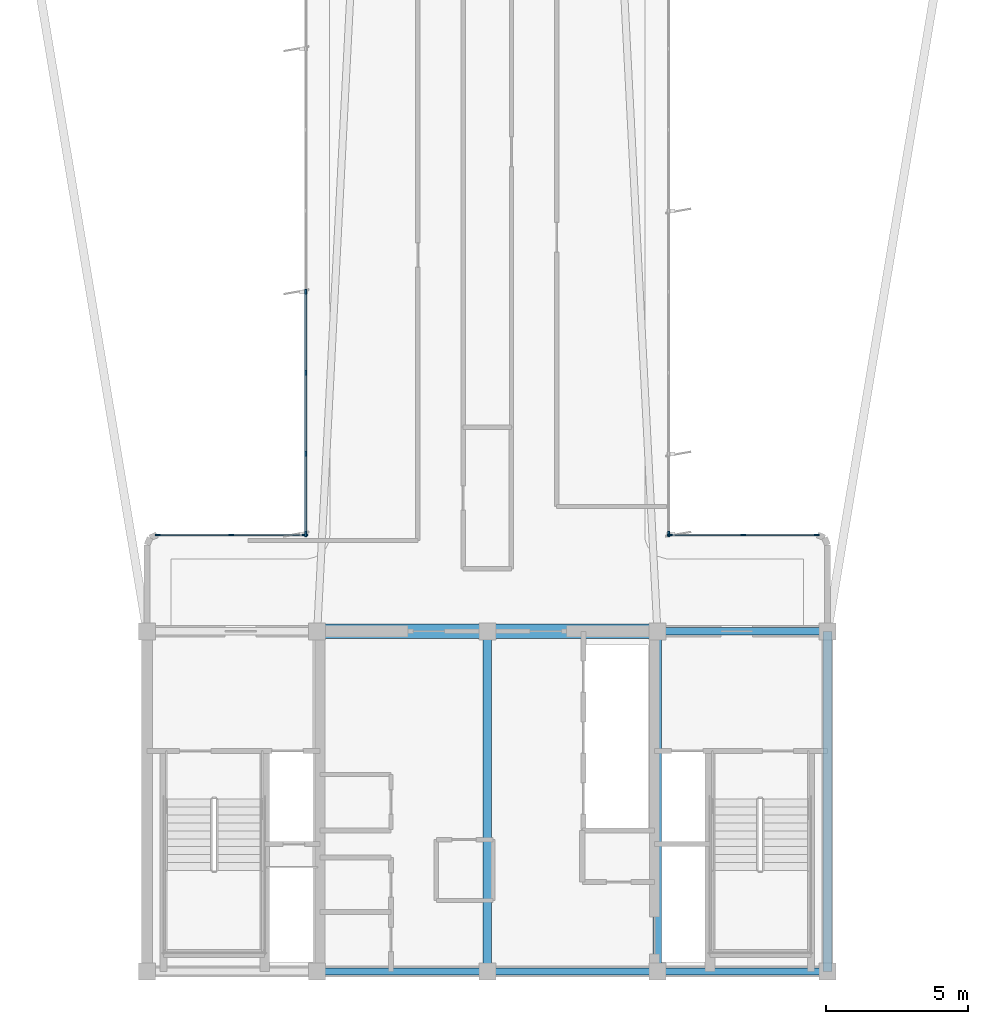
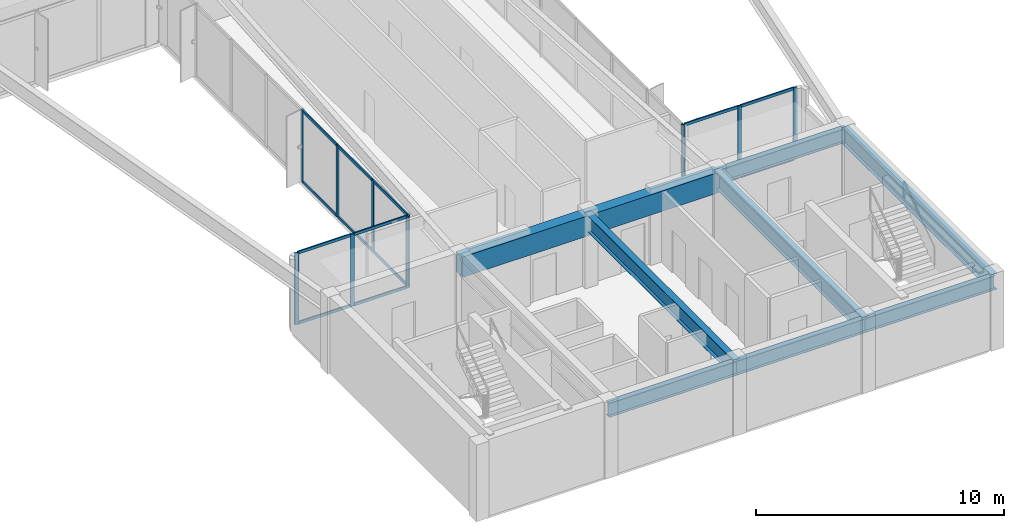
# One storey, part 2 of 15: 25 members, 8 beams, 4 elements without a shape of their own.
"""IFC4 building model written with IfcOpenShell, lengths in metres."""

from ifc_helpers import new_model, si_unit, direction, frame, origin, origin_2d, place, context, subcontext, project, spatial, rectangle, i_section, extrude, source, transform, mapped, material, layer, layer_set, material_profile, profile_set, type_object, element, aggregate, save


model = new_model("IFC4")

# Units and contexts
model_context = context("Model", 3, precision=1e-05, world=origin(), true_north=direction((0.0, 1.0)))
body_context = subcontext(model_context, "Body", "Model", "MODEL_VIEW")
ifc_project = project(units=[si_unit("LENGTHUNIT", "METRE"), si_unit("AREAUNIT", "SQUARE_METRE"), si_unit("VOLUMEUNIT", "CUBIC_METRE"), si_unit("PLANEANGLEUNIT", "RADIAN"), si_unit("MASSUNIT", "GRAM", prefix="KILO")], contexts=[model_context])

# Site, building, storey
site_placement = place(None, origin())
site = spatial("IfcSite", under=ifc_project, at=site_placement, CompositionType="ELEMENT")
building_placement = place(site_placement, origin())
building = spatial("IfcBuilding", under=site, at=building_placement, Name="Brelvock Crest Care Tower", CompositionType="ELEMENT")
storey_placement = place(building_placement, frame((0.0, 0.0, 245.699951171875)))
storey = spatial("IfcBuildingStorey", under=building, at=storey_placement, Name="L62", CompositionType="ELEMENT", Elevation=245.699951171875)

# Beams
ifc_material_1 = material(Name="Steel Grade 350", Category="steel")
ifc_material_profile_1 = material_profile(ifc_material_1, i_section(OverallWidth=0.25, OverallDepth=0.699951171875, WebThickness=0.011962890625, FlangeThickness=0.02001953125, at=origin_2d()), Name="700WB150")
ifc_profile_set_1 = profile_set([ifc_material_profile_1], Name="Steel Grade 350")
beam_type_1 = type_object("IfcBeamType", Name="BM-G4", PredefinedType="BEAM", material=ifc_profile_set_1)
shared_shape_1 = source(origin(), body_context, "Body", "SweptSolid", [
    extrude(i_section(OverallWidth=0.25, OverallDepth=0.699951171875, WebThickness=0.011962890625, FlangeThickness=0.02001953125, at=origin_2d()), origin(), (0.0, 0.0, 1.0), 6.0),
])
for number, where, z_axis, x_axis, name in (
    (1, (30.0, 6.0, 3.179931640625), (1.0, 0.0, 0.0), (0.0, 1.0, 0.0), "BM-CORES-L62-2"),
    (2, (36.0, 6.0, 3.179931640625), (1.0, 0.0, 0.0), (0.0, 1.0, 0.0), "BM-CORES-L62-3"),
    (3, (42.0, 6.0, 3.179931640625), (1.0, 0.0, 0.0), (0.0, 1.0, 0.0), "BM-CORES-L62-4"),
    (4, (42.0, 18.0, 3.179931640625), (1.0, 0.0, 0.0), (0.0, 1.0, 0.0), "BM-COREN-L62-4"),
):
    element("IfcBeam", number, at=place(storey_placement, frame(where, z_axis=z_axis, x_axis=x_axis)), inside=storey, type_object=beam_type_1, Name=name, PredefinedType="BEAM", context=body_context, shape_type="MappedRepresentation", body=[
        mapped(shared_shape_1, transform((0.0, 0.0, 0.0), x_axis=(1.0, 0.0, 0.0), y_axis=(0.0, 1.0, 0.0), z_axis=(0.0, 0.0, 1.0), scale=1.0)),
    ])
ifc_material_profile_2 = material_profile(ifc_material_1, i_section(OverallWidth=0.300048828125, OverallDepth=0.800048828125, WebThickness=0.013916015625, FlangeThickness=0.02197265625, at=origin_2d()), Name="800WB192")
ifc_profile_set_2 = profile_set([ifc_material_profile_2], Name="Steel Grade 350")
beam_type_2 = type_object("IfcBeamType", Name="BM-G5", PredefinedType="BEAM", material=ifc_profile_set_2)
shared_shape_2 = source(origin(), body_context, "Body", "SweptSolid", [
    extrude(i_section(OverallWidth=0.300048828125, OverallDepth=0.800048828125, WebThickness=0.013916015625, FlangeThickness=0.02197265625, at=origin_2d()), origin(), (0.0, 0.0, 1.0), 12.0),
])
for number, where, z_axis, x_axis, name in (
    (5, (36.0, 6.0, 3.130126953125), (0.0, 1.0, 0.0), (-1.0, 0.0, 0.0), "BM-COREX-L62-3"),
    (6, (42.0, 6.0, 3.130126953125), (0.0, 1.0, 0.0), (-1.0, 0.0, 0.0), "BM-COREX-L62-4"),
    (7, (48.0, 6.0, 3.130126953125), (0.0, 1.0, 0.0), (-1.0, 0.0, 0.0), "BM-COREX-L62-5"),
):
    element("IfcBeam", number, at=place(storey_placement, frame(where, z_axis=z_axis, x_axis=x_axis)), inside=storey, type_object=beam_type_2, Name=name, PredefinedType="BEAM", context=body_context, shape_type="MappedRepresentation", body=[
        mapped(shared_shape_2, transform((0.0, 0.0, 0.0), x_axis=(1.0, 0.0, 0.0), y_axis=(0.0, 1.0, 0.0), z_axis=(0.0, 0.0, 1.0), scale=1.0)),
    ])
ifc_material_2 = material(Name="Concrete S65 (65 MPa)", Category="concrete")
ifc_material_profile_3 = material_profile(ifc_material_2, rectangle(XDim=0.5, YDim=1.0, at=origin_2d()), Name="RC500x1000")
ifc_profile_set_3 = profile_set([ifc_material_profile_3], Name="Concrete S65 (65 MPa)")
beam_type_3 = type_object("IfcBeamType", Name="BM-LN2", PredefinedType="LINTEL", material=ifc_profile_set_3)
shared_shape_3 = source(origin(), body_context, "Body", "SweptSolid", [
    extrude(rectangle(XDim=0.5, YDim=1.0, at=origin_2d()), origin(), (0.0, 0.0, 1.0), 12.0),
])
beam_placement = place(storey_placement, frame((30.0, 18.0, 3.030029296875), z_axis=(1.0, 0.0, 0.0), x_axis=(0.0, 1.0, 0.0)))
element("IfcBeam", 8, at=beam_placement, inside=storey, type_object=beam_type_3, Name="L62 Core Coupling Lintel Beam", PredefinedType="LINTEL", context=body_context, shape_type="MappedRepresentation", body=[
    mapped(shared_shape_3, transform((0.0, 0.0, 0.0), x_axis=(1.0, 0.0, 0.0), y_axis=(0.0, 1.0, 0.0), z_axis=(0.0, 0.0, 1.0), scale=1.0)),
])

# Curtain wall, members
ifc_material_3 = material(Name="Dark Glass Double Glazed Low-E", Category="glass")
ifc_layer = layer(ifc_material_3, 0.239990234375, Name="CWS-5")
ifc_layer_set = layer_set([ifc_layer], Name="Dark Glass Double Glazed Low-E")
curtain_wall_type = type_object("IfcCurtainWallType", Name="CWS-5", PredefinedType="NOTDEFINED", material=ifc_layer_set)
curtain_wall_1_placement = place(storey_placement, origin())
curtain_wall_1 = element("IfcCurtainWall", 9, at=curtain_wall_1_placement, inside=storey, type_object=curtain_wall_type, Name="L62 Curtain Wall E10", PredefinedType="NOTDEFINED")
ifc_material_4 = material(Name="Aluminium 6063-T6", Category="aluminium")
ifc_material_profile_4 = material_profile(ifc_material_4, rectangle(XDim=0.06005859375, YDim=0.179931640625, at=origin_2d()), Name="ALU60x180")
ifc_profile_set_4 = profile_set([ifc_material_profile_4], Name="Aluminium 6063-T6")
member_type_1 = type_object("IfcMemberType", Name="CWM-2", PredefinedType="MULLION", material=ifc_profile_set_4)
shared_shape_4 = source(origin(), body_context, "Body", "SweptSolid", [
    extrude(rectangle(XDim=0.06005859375, YDim=0.179931640625, at=origin_2d()), origin(), (0.0, 0.0, 1.0), 3.530029296875),
])
member_1_placement = place(storey_placement, frame((24.3798828125, 21.39990234375, 0.0), z_axis=(0.0, 0.0, 1.0), x_axis=(0.0, 1.0, 0.0)))
member_1 = element("IfcMember", 10, at=member_1_placement, type_object=member_type_1, Name="CW-5 mullion 1", PredefinedType="MULLION", context=body_context, shape_type="MappedRepresentation", body=[
    mapped(shared_shape_4, transform((0.0, 0.0, 0.0), x_axis=(1.0, 0.0, 0.0), y_axis=(0.0, 1.0, 0.0), z_axis=(0.0, 0.0, 1.0), scale=1.0)),
])
member_2_placement = place(storey_placement, frame((26.97509765625, 21.39990234375, 0.0), z_axis=(0.0, 0.0, 1.0), x_axis=(0.0, 1.0, 0.0)))
member_2 = element("IfcMember", 11, at=member_2_placement, type_object=member_type_1, Name="CW-5 mullion 2", PredefinedType="MULLION", context=body_context, shape_type="MappedRepresentation", body=[
    mapped(shared_shape_4, transform((0.0, 0.0, 0.0), x_axis=(1.0, 0.0, 0.0), y_axis=(0.0, 1.0, 0.0), z_axis=(0.0, 0.0, 1.0), scale=1.0)),
])
member_3_placement = place(storey_placement, frame((29.570068359375, 21.39990234375, 0.0), z_axis=(0.0, 0.0, 1.0), x_axis=(0.0, 1.0, 0.0)))
member_3 = element("IfcMember", 12, at=member_3_placement, type_object=member_type_1, Name="CW-5 mullion 3", PredefinedType="MULLION", context=body_context, shape_type="MappedRepresentation", body=[
    mapped(shared_shape_4, transform((0.0, 0.0, 0.0), x_axis=(1.0, 0.0, 0.0), y_axis=(0.0, 1.0, 0.0), z_axis=(0.0, 0.0, 1.0), scale=1.0)),
])

curtain_wall_2_placement = place(storey_placement, origin())
curtain_wall_2 = element("IfcCurtainWall", 13, at=curtain_wall_2_placement, inside=storey, type_object=curtain_wall_type, Name="L62 Curtain Wall E11", PredefinedType="NOTDEFINED")
member_4_placement = place(storey_placement, frame((29.60009765625, 21.429931640625, 0.0), z_axis=(0.0, 0.0, 1.0), x_axis=(-1.0, 0.0, 0.0)))
member_4 = element("IfcMember", 14, at=member_4_placement, type_object=member_type_1, Name="CW-5 mullion 1", PredefinedType="MULLION", context=body_context, shape_type="MappedRepresentation", body=[
    mapped(shared_shape_4, transform((0.0, 0.0, 0.0), x_axis=(1.0, 0.0, 0.0), y_axis=(0.0, 1.0, 0.0), z_axis=(0.0, 0.0, 1.0), scale=1.0)),
])
member_5_placement = place(storey_placement, frame((29.60009765625, 24.257080078125, 0.0), z_axis=(0.0, 0.0, 1.0), x_axis=(-1.0, 0.0, 0.0)))
member_5 = element("IfcMember", 15, at=member_5_placement, type_object=member_type_1, Name="CW-5 mullion 2", PredefinedType="MULLION", context=body_context, shape_type="MappedRepresentation", body=[
    mapped(shared_shape_4, transform((0.0, 0.0, 0.0), x_axis=(1.0, 0.0, 0.0), y_axis=(0.0, 1.0, 0.0), z_axis=(0.0, 0.0, 1.0), scale=1.0)),
])
member_6_placement = place(storey_placement, frame((29.60009765625, 27.1142578125, 0.0), z_axis=(0.0, 0.0, 1.0), x_axis=(-1.0, 0.0, 0.0)))
member_6 = element("IfcMember", 16, at=member_6_placement, type_object=member_type_1, Name="CW-5 mullion 3", PredefinedType="MULLION", context=body_context, shape_type="MappedRepresentation", body=[
    mapped(shared_shape_4, transform((0.0, 0.0, 0.0), x_axis=(1.0, 0.0, 0.0), y_axis=(0.0, 1.0, 0.0), z_axis=(0.0, 0.0, 1.0), scale=1.0)),
])
member_7_placement = place(storey_placement, frame((29.60009765625, 29.971435546875, 0.0), z_axis=(0.0, 0.0, 1.0), x_axis=(-1.0, 0.0, 0.0)))
member_7 = element("IfcMember", 17, at=member_7_placement, type_object=member_type_1, Name="CW-5 mullion 4", PredefinedType="MULLION", context=body_context, shape_type="MappedRepresentation", body=[
    mapped(shared_shape_4, transform((0.0, 0.0, 0.0), x_axis=(1.0, 0.0, 0.0), y_axis=(0.0, 1.0, 0.0), z_axis=(0.0, 0.0, 1.0), scale=1.0)),
])

# Curtain wall, member
curtain_wall_3_placement = place(storey_placement, origin())
curtain_wall_3 = element("IfcCurtainWall", 18, at=curtain_wall_3_placement, inside=storey, type_object=curtain_wall_type, Name="L62 Curtain Wall E45", PredefinedType="NOTDEFINED")
member_8_placement = place(storey_placement, frame((42.39990234375, 21.429931640625, 0.0), z_axis=(0.0, 0.0, 1.0), x_axis=(1.0, 0.0, 0.0)))
member_8 = element("IfcMember", 19, at=member_8_placement, type_object=member_type_1, Name="CW-5 mullion 8", PredefinedType="MULLION", context=body_context, shape_type="MappedRepresentation", body=[
    mapped(shared_shape_4, transform((0.0, 0.0, 0.0), x_axis=(1.0, 0.0, 0.0), y_axis=(0.0, 1.0, 0.0), z_axis=(0.0, 0.0, 1.0), scale=1.0)),
])
aggregate(curtain_wall_3, [member_8])

# Curtain wall, members
curtain_wall_4_placement = place(storey_placement, origin())
curtain_wall_4 = element("IfcCurtainWall", 20, at=curtain_wall_4_placement, inside=storey, type_object=curtain_wall_type, Name="L62 Curtain Wall E46", PredefinedType="NOTDEFINED")
member_9_placement = place(storey_placement, frame((42.429931640625, 21.39990234375, 0.0), z_axis=(0.0, 0.0, 1.0), x_axis=(0.0, 1.0, 0.0)))
member_9 = element("IfcMember", 21, at=member_9_placement, type_object=member_type_1, Name="CW-5 mullion 1", PredefinedType="MULLION", context=body_context, shape_type="MappedRepresentation", body=[
    mapped(shared_shape_4, transform((0.0, 0.0, 0.0), x_axis=(1.0, 0.0, 0.0), y_axis=(0.0, 1.0, 0.0), z_axis=(0.0, 0.0, 1.0), scale=1.0)),
])
member_10_placement = place(storey_placement, frame((45.02490234375, 21.39990234375, 0.0), z_axis=(0.0, 0.0, 1.0), x_axis=(0.0, 1.0, 0.0)))
member_10 = element("IfcMember", 22, at=member_10_placement, type_object=member_type_1, Name="CW-5 mullion 2", PredefinedType="MULLION", context=body_context, shape_type="MappedRepresentation", body=[
    mapped(shared_shape_4, transform((0.0, 0.0, 0.0), x_axis=(1.0, 0.0, 0.0), y_axis=(0.0, 1.0, 0.0), z_axis=(0.0, 0.0, 1.0), scale=1.0)),
])
member_11_placement = place(storey_placement, frame((47.6201171875, 21.39990234375, 0.0), z_axis=(0.0, 0.0, 1.0), x_axis=(0.0, 1.0, 0.0)))
member_11 = element("IfcMember", 23, at=member_11_placement, type_object=member_type_1, Name="CW-5 mullion 3", PredefinedType="MULLION", context=body_context, shape_type="MappedRepresentation", body=[
    mapped(shared_shape_4, transform((0.0, 0.0, 0.0), x_axis=(1.0, 0.0, 0.0), y_axis=(0.0, 1.0, 0.0), z_axis=(0.0, 0.0, 1.0), scale=1.0)),
])

# Member
ifc_material_profile_5 = material_profile(ifc_material_4, rectangle(XDim=0.06005859375, YDim=0.139892578125, at=origin_2d()), Name="ALU60x140")
ifc_profile_set_5 = profile_set([ifc_material_profile_5], Name="Aluminium 6063-T6")
member_type_2 = type_object("IfcMemberType", Name="CWT-2", PredefinedType="USERDEFINED", material=ifc_profile_set_5)
shared_shape_5 = source(origin(), body_context, "Body", "SweptSolid", [
    extrude(rectangle(XDim=0.06005859375, YDim=0.139892578125, at=origin_2d()), origin(), (0.0, 0.0, 1.0), 2.53515625),
])
member_12_placement = place(storey_placement, frame((24.409912109375, 21.39990234375, 0.030029296875), z_axis=(1.0, 0.0, 0.0), x_axis=(0.0, 1.0, 0.0)))
member_12 = element("IfcMember", 24, at=member_12_placement, type_object=member_type_2, Name="CW-5 transom 1.1", ObjectType="TRANSOM", PredefinedType="USERDEFINED", context=body_context, shape_type="MappedRepresentation", body=[
    mapped(shared_shape_5, transform((0.0, 0.0, 0.0), x_axis=(1.0, 0.0, 0.0), y_axis=(0.0, 1.0, 0.0), z_axis=(0.0, 0.0, 1.0), scale=1.0)),
])

member_13_placement = place(storey_placement, frame((24.409912109375, 21.39990234375, 3.5), z_axis=(1.0, 0.0, 0.0), x_axis=(0.0, 1.0, 0.0)))
member_13 = element("IfcMember", 25, at=member_13_placement, type_object=member_type_2, Name="CW-5 transom 1.2", ObjectType="TRANSOM", PredefinedType="USERDEFINED", context=body_context, shape_type="MappedRepresentation", body=[
    mapped(shared_shape_5, transform((0.0, 0.0, 0.0), x_axis=(1.0, 0.0, 0.0), y_axis=(0.0, 1.0, 0.0), z_axis=(0.0, 0.0, 1.0), scale=1.0)),
])

member_14_placement = place(storey_placement, frame((27.0048828125, 21.39990234375, 0.030029296875), z_axis=(1.0, 0.0, 0.0), x_axis=(0.0, 1.0, 0.0)))
member_14 = element("IfcMember", 26, at=member_14_placement, type_object=member_type_2, Name="CW-5 transom 2.1", ObjectType="TRANSOM", PredefinedType="USERDEFINED", context=body_context, shape_type="MappedRepresentation", body=[
    mapped(shared_shape_5, transform((0.0, 0.0, 0.0), x_axis=(1.0, 0.0, 0.0), y_axis=(0.0, 1.0, 0.0), z_axis=(0.0, 0.0, 1.0), scale=1.0)),
])

member_15_placement = place(storey_placement, frame((27.0048828125, 21.39990234375, 3.5), z_axis=(1.0, 0.0, 0.0), x_axis=(0.0, 1.0, 0.0)))
member_15 = element("IfcMember", 27, at=member_15_placement, type_object=member_type_2, Name="CW-5 transom 2.2", ObjectType="TRANSOM", PredefinedType="USERDEFINED", context=body_context, shape_type="MappedRepresentation", body=[
    mapped(shared_shape_5, transform((0.0, 0.0, 0.0), x_axis=(1.0, 0.0, 0.0), y_axis=(0.0, 1.0, 0.0), z_axis=(0.0, 0.0, 1.0), scale=1.0)),
])

aggregate(curtain_wall_1, [member_1, member_2, member_3, member_12, member_13, member_14, member_15])

member_16_placement = place(storey_placement, frame((42.4599609375, 21.39990234375, 0.030029296875), z_axis=(1.0, 0.0, 0.0), x_axis=(0.0, 1.0, 0.0)))
member_16 = element("IfcMember", 28, at=member_16_placement, type_object=member_type_2, Name="CW-5 transom 1.1", ObjectType="TRANSOM", PredefinedType="USERDEFINED", context=body_context, shape_type="MappedRepresentation", body=[
    mapped(shared_shape_5, transform((0.0, 0.0, 0.0), x_axis=(1.0, 0.0, 0.0), y_axis=(0.0, 1.0, 0.0), z_axis=(0.0, 0.0, 1.0), scale=1.0)),
])

member_17_placement = place(storey_placement, frame((42.4599609375, 21.39990234375, 3.5), z_axis=(1.0, 0.0, 0.0), x_axis=(0.0, 1.0, 0.0)))
member_17 = element("IfcMember", 29, at=member_17_placement, type_object=member_type_2, Name="CW-5 transom 1.2", ObjectType="TRANSOM", PredefinedType="USERDEFINED", context=body_context, shape_type="MappedRepresentation", body=[
    mapped(shared_shape_5, transform((0.0, 0.0, 0.0), x_axis=(1.0, 0.0, 0.0), y_axis=(0.0, 1.0, 0.0), z_axis=(0.0, 0.0, 1.0), scale=1.0)),
])

member_18_placement = place(storey_placement, frame((45.054931640625, 21.39990234375, 0.030029296875), z_axis=(1.0, 0.0, 0.0), x_axis=(0.0, 1.0, 0.0)))
member_18 = element("IfcMember", 30, at=member_18_placement, type_object=member_type_2, Name="CW-5 transom 2.1", ObjectType="TRANSOM", PredefinedType="USERDEFINED", context=body_context, shape_type="MappedRepresentation", body=[
    mapped(shared_shape_5, transform((0.0, 0.0, 0.0), x_axis=(1.0, 0.0, 0.0), y_axis=(0.0, 1.0, 0.0), z_axis=(0.0, 0.0, 1.0), scale=1.0)),
])

member_19_placement = place(storey_placement, frame((45.054931640625, 21.39990234375, 3.5), z_axis=(1.0, 0.0, 0.0), x_axis=(0.0, 1.0, 0.0)))
member_19 = element("IfcMember", 31, at=member_19_placement, type_object=member_type_2, Name="CW-5 transom 2.2", ObjectType="TRANSOM", PredefinedType="USERDEFINED", context=body_context, shape_type="MappedRepresentation", body=[
    mapped(shared_shape_5, transform((0.0, 0.0, 0.0), x_axis=(1.0, 0.0, 0.0), y_axis=(0.0, 1.0, 0.0), z_axis=(0.0, 0.0, 1.0), scale=1.0)),
])

aggregate(curtain_wall_4, [member_9, member_10, member_11, member_16, member_17, member_18, member_19])

shared_shape_6 = source(origin(), body_context, "Body", "SweptSolid", [
    extrude(rectangle(XDim=0.06005859375, YDim=0.139892578125, at=origin_2d()), origin(), (0.0, 0.0, 1.0), 2.76708984375),
])
member_20_placement = place(storey_placement, frame((29.60009765625, 21.4599609375, 0.030029296875), z_axis=(0.0, 1.0, 0.0), x_axis=(-1.0, 0.0, 0.0)))
member_20 = element("IfcMember", 32, at=member_20_placement, type_object=member_type_2, Name="CW-5 transom 1.1", ObjectType="TRANSOM", PredefinedType="USERDEFINED", context=body_context, shape_type="MappedRepresentation", body=[
    mapped(shared_shape_6, transform((0.0, 0.0, 0.0), x_axis=(1.0, 0.0, 0.0), y_axis=(0.0, 1.0, 0.0), z_axis=(0.0, 0.0, 1.0), scale=1.0)),
])

member_21_placement = place(storey_placement, frame((29.60009765625, 21.4599609375, 3.5), z_axis=(0.0, 1.0, 0.0), x_axis=(-1.0, 0.0, 0.0)))
member_21 = element("IfcMember", 33, at=member_21_placement, type_object=member_type_2, Name="CW-5 transom 1.2", ObjectType="TRANSOM", PredefinedType="USERDEFINED", context=body_context, shape_type="MappedRepresentation", body=[
    mapped(shared_shape_6, transform((0.0, 0.0, 0.0), x_axis=(1.0, 0.0, 0.0), y_axis=(0.0, 1.0, 0.0), z_axis=(0.0, 0.0, 1.0), scale=1.0)),
])

shared_shape_7 = source(origin(), body_context, "Body", "SweptSolid", [
    extrude(rectangle(XDim=0.06005859375, YDim=0.139892578125, at=origin_2d()), origin(), (0.0, 0.0, 1.0), 2.797119140625),
])
member_22_placement = place(storey_placement, frame((29.60009765625, 24.287109375, 0.030029296875), z_axis=(0.0, 1.0, 0.0), x_axis=(-1.0, 0.0, 0.0)))
member_22 = element("IfcMember", 34, at=member_22_placement, type_object=member_type_2, Name="CW-5 transom 2.1", ObjectType="TRANSOM", PredefinedType="USERDEFINED", context=body_context, shape_type="MappedRepresentation", body=[
    mapped(shared_shape_7, transform((0.0, 0.0, 0.0), x_axis=(1.0, 0.0, 0.0), y_axis=(0.0, 1.0, 0.0), z_axis=(0.0, 0.0, 1.0), scale=1.0)),
])

member_23_placement = place(storey_placement, frame((29.60009765625, 24.287109375, 3.5), z_axis=(0.0, 1.0, 0.0), x_axis=(-1.0, 0.0, 0.0)))
member_23 = element("IfcMember", 35, at=member_23_placement, type_object=member_type_2, Name="CW-5 transom 2.2", ObjectType="TRANSOM", PredefinedType="USERDEFINED", context=body_context, shape_type="MappedRepresentation", body=[
    mapped(shared_shape_7, transform((0.0, 0.0, 0.0), x_axis=(1.0, 0.0, 0.0), y_axis=(0.0, 1.0, 0.0), z_axis=(0.0, 0.0, 1.0), scale=1.0)),
])

member_24_placement = place(storey_placement, frame((29.60009765625, 27.144287109375, 0.030029296875), z_axis=(0.0, 1.0, 0.0), x_axis=(-1.0, 0.0, 0.0)))
member_24 = element("IfcMember", 36, at=member_24_placement, type_object=member_type_2, Name="CW-5 transom 3.1", ObjectType="TRANSOM", PredefinedType="USERDEFINED", context=body_context, shape_type="MappedRepresentation", body=[
    mapped(shared_shape_7, transform((0.0, 0.0, 0.0), x_axis=(1.0, 0.0, 0.0), y_axis=(0.0, 1.0, 0.0), z_axis=(0.0, 0.0, 1.0), scale=1.0)),
])

member_25_placement = place(storey_placement, frame((29.60009765625, 27.144287109375, 3.5), z_axis=(0.0, 1.0, 0.0), x_axis=(-1.0, 0.0, 0.0)))
member_25 = element("IfcMember", 37, at=member_25_placement, type_object=member_type_2, Name="CW-5 transom 3.2", ObjectType="TRANSOM", PredefinedType="USERDEFINED", context=body_context, shape_type="MappedRepresentation", body=[
    mapped(shared_shape_7, transform((0.0, 0.0, 0.0), x_axis=(1.0, 0.0, 0.0), y_axis=(0.0, 1.0, 0.0), z_axis=(0.0, 0.0, 1.0), scale=1.0)),
])

aggregate(curtain_wall_2, [member_4, member_5, member_6, member_7, member_20, member_21, member_22, member_23, member_24, member_25])

save(model, "model.ifc")
